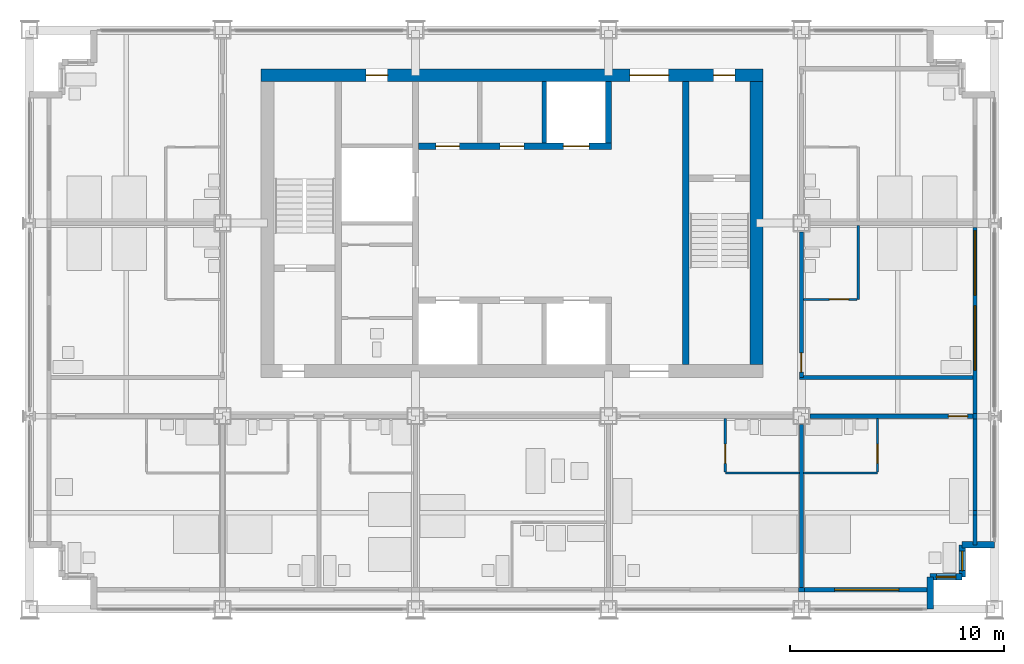
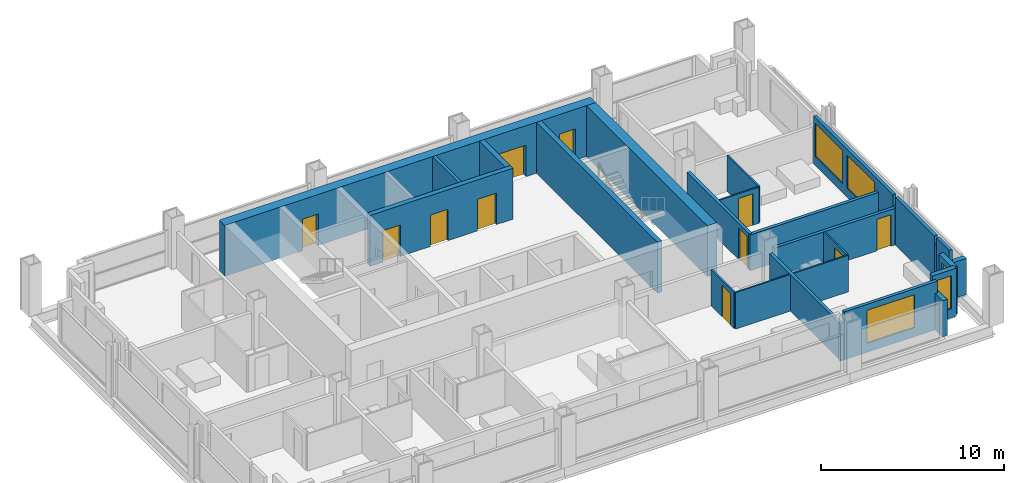
# One storey, part 9 of 13: 27 walls, 11 doors, 5 windows, 16 openings.
"""IFC4 building model written with IfcOpenShell, lengths in metres."""

from ifc_helpers import new_model, si_unit, direction, frame, frame_2d, origin, place, context, subcontext, project, spatial, rectangle, extrude, material, layer, layer_set, type_object, element, fill, save


model = new_model("IFC4")

# Units and contexts
model_context = context("Model", 3, precision=1e-05, world=origin(), true_north=direction((0.0, 1.0)))
body_context = subcontext(model_context, "Body", "Model", "MODEL_VIEW")
ifc_project = project(units=[si_unit("LENGTHUNIT", "METRE"), si_unit("AREAUNIT", "SQUARE_METRE"), si_unit("VOLUMEUNIT", "CUBIC_METRE"), si_unit("PLANEANGLEUNIT", "RADIAN"), si_unit("MASSUNIT", "GRAM", prefix="KILO")], contexts=[model_context])

# Site, building, storey
site_placement = place(None, origin())
site = spatial("IfcSite", under=ifc_project, at=site_placement, CompositionType="ELEMENT")
building_placement = place(site_placement, origin())
building = spatial("IfcBuilding", under=site, at=building_placement, Name="Loomwork Tower", CompositionType="ELEMENT")
storey_placement = place(building_placement, frame((0.0, 0.0, 191.0)))
storey = spatial("IfcBuildingStorey", under=building, at=storey_placement, Name="L52", CompositionType="ELEMENT", Elevation=191.0)

# Wall, openings, doors
ifc_material_1 = material(Name="Concrete 14000 psi (97 MPa)", Category="concrete")
ifc_layer_1 = layer(ifc_material_1, 0.300048828125)
ifc_layer_set_1 = layer_set([ifc_layer_1], Name="Core shear wall 300")
wall_type_1 = type_object("IfcWallType", Name="Core shear wall 300", PredefinedType="SHEAR", material=ifc_layer_set_1)
wall_1_placement = place(storey_placement, frame((18.14990234375, 21.60009765625, 0.0), z_axis=(0.0, 0.0, 1.0), x_axis=(1.0, 0.0, 0.0)))
wall_1 = element("IfcWall", 1, at=wall_1_placement, inside=storey, type_object=wall_type_1, Name="Lift front wall north L52", PredefinedType="SHEAR", context=body_context, shape_type="SweptSolid", body=[
    extrude(rectangle(XDim=9.0, YDim=0.300048828125, at=frame_2d((4.5, 0.0))), origin(), (0.0, 0.0, 1.0), 3.39990234375),
])
opening_1_placement = place(wall_1_placement, frame((6.75, 0.0, 0.0)))
opening_1 = element("IfcOpeningElement", 2, at=opening_1_placement, cuts=wall_1, Name="Opening LD2", PredefinedType="OPENING", context=body_context, shape_type="SweptSolid", body=[
    extrude(rectangle(XDim=1.199951171875, YDim=2.10009765625, at=frame_2d((0.60009765625, 1.050048828125))), frame((0.0, 0.159912109375, 0.0), z_axis=(0.0, -1.0, 0.0), x_axis=(1.0, 0.0, 0.0)), (0.0, 0.0, 1.0), 0.320068359375),
])
opening_2_placement = place(wall_1_placement, frame((0.800048828125, 0.0, 0.0)))
opening_2 = element("IfcOpeningElement", 3, at=opening_2_placement, cuts=wall_1, Name="Opening D17", PredefinedType="OPENING", context=body_context, shape_type="SweptSolid", body=[
    extrude(rectangle(XDim=1.10009765625, YDim=2.10009765625, at=frame_2d((0.550048828125, 1.050048828125))), frame((0.0, 0.159912109375, 0.0), z_axis=(0.0, -1.0, 0.0), x_axis=(1.0, 0.0, 0.0)), (0.0, 0.0, 1.0), 0.320068359375),
])
opening_3_placement = place(wall_1_placement, frame((3.800048828125, 0.0, 0.0)))
opening_3 = element("IfcOpeningElement", 4, at=opening_3_placement, cuts=wall_1, Name="Opening D17", PredefinedType="OPENING", context=body_context, shape_type="SweptSolid", body=[
    extrude(rectangle(XDim=1.10009765625, YDim=2.10009765625, at=frame_2d((0.550048828125, 1.050048828125))), frame((0.0, 0.159912109375, 0.0), z_axis=(0.0, -1.0, 0.0), x_axis=(1.0, 0.0, 0.0)), (0.0, 0.0, 1.0), 0.320068359375),
])
ifc_material_2 = material(Name="Hollow metal door and frame")
door_type_1 = type_object("IfcDoorType", Name="Lift landing door 1200", OperationType="SLIDING_TO_LEFT", PredefinedType="DOOR", material=ifc_material_2)
door_1_placement = place(opening_1_placement, origin())
door_1 = element("IfcDoor", 5, at=door_1_placement, inside=storey, type_object=door_type_1, Name="Lift landing door LF2", OperationType="SLIDING_TO_LEFT", OverallHeight=2.10009765625, OverallWidth=1.199951171875, PredefinedType="DOOR", context=body_context, shape_type="SweptSolid", body=[
    extrude(rectangle(XDim=1.199951171875, YDim=2.10009765625, at=frame_2d((0.60009765625, 1.050048828125))), frame((0.0, 0.02490234375, 0.0), z_axis=(0.0, -1.0, 0.0), x_axis=(1.0, 0.0, 0.0)), (0.0, 0.0, 1.0), 0.050048828125),
])
fill(opening_1, door_1)
ifc_material_3 = material(Name="Hollow metal door and frame")
door_type_2 = type_object("IfcDoorType", Name="Service room door 1100", OperationType="SINGLE_SWING_LEFT", PredefinedType="DOOR", material=ifc_material_3)
door_2_placement = place(opening_2_placement, origin())
door_2 = element("IfcDoor", 6, at=door_2_placement, inside=storey, type_object=door_type_2, Name="IT and communications room door L52", OperationType="SINGLE_SWING_LEFT", OverallHeight=2.10009765625, OverallWidth=1.10009765625, PredefinedType="DOOR", context=body_context, shape_type="SweptSolid", body=[
    extrude(rectangle(XDim=1.10009765625, YDim=2.10009765625, at=frame_2d((0.550048828125, 1.050048828125))), frame((0.0, 0.02490234375, 0.0), z_axis=(0.0, -1.0, 0.0), x_axis=(1.0, 0.0, 0.0)), (0.0, 0.0, 1.0), 0.050048828125),
])
fill(opening_2, door_2)
door_3_placement = place(opening_3_placement, origin())
door_3 = element("IfcDoor", 7, at=door_3_placement, inside=storey, type_object=door_type_2, Name="Housekeeping store door L52", OperationType="SINGLE_SWING_LEFT", OverallHeight=2.10009765625, OverallWidth=1.10009765625, PredefinedType="DOOR", context=body_context, shape_type="SweptSolid", body=[
    extrude(rectangle(XDim=1.10009765625, YDim=2.10009765625, at=frame_2d((0.550048828125, 1.050048828125))), frame((0.0, 0.02490234375, 0.0), z_axis=(0.0, -1.0, 0.0), x_axis=(1.0, 0.0, 0.0)), (0.0, 0.0, 1.0), 0.050048828125),
])
fill(opening_3, door_3)

# Walls
wall_2_placement = place(storey_placement, frame((27.0, 21.75, 0.0), z_axis=(0.0, 0.0, 1.0), x_axis=(0.0, 1.0, 0.0)))
element("IfcWall", 8, at=wall_2_placement, inside=storey, type_object=wall_type_1, Name="Lift shaft end wall north L52", PredefinedType="SHEAR", context=body_context, shape_type="SweptSolid", body=[
    extrude(rectangle(XDim=2.85009765625, YDim=0.300048828125, at=frame_2d((1.425048828125, 0.0))), origin(), (0.0, 0.0, 1.0), 3.39990234375),
])
wall_3_placement = place(storey_placement, frame((30.60009765625, 11.39990234375, 0.0), z_axis=(0.0, 0.0, 1.0), x_axis=(0.0, 1.0, 0.0)))
element("IfcWall", 9, at=wall_3_placement, inside=storey, type_object=wall_type_1, Name="Stair B west wall L52", PredefinedType="SHEAR", context=body_context, shape_type="SweptSolid", body=[
    extrude(rectangle(XDim=13.2001953125, YDim=0.300048828125, at=frame_2d((6.60009765625, 0.0))), origin(), (0.0, 0.0, 1.0), 3.39990234375),
])

# Wall, openings, doors
ifc_material_4 = material(Name="Concrete 14000 psi (97 MPa)", Category="concrete")
ifc_layer_2 = layer(ifc_material_4, 0.60009765625)
ifc_layer_set_2 = layer_set([ifc_layer_2], Name="Core shear wall 600")
wall_type_2 = type_object("IfcWallType", Name="Core shear wall 600", PredefinedType="SHEAR", material=ifc_layer_set_2)
wall_4_placement = place(storey_placement, frame((10.800048828125, 24.89990234375, 0.0), z_axis=(0.0, 0.0, 1.0), x_axis=(1.0, 0.0, 0.0)))
wall_4 = element("IfcWall", 10, at=wall_4_placement, inside=storey, type_object=wall_type_2, Name="Core wall north L52", PredefinedType="SHEAR", context=body_context, shape_type="SweptSolid", body=[
    extrude(rectangle(XDim=23.39990234375, YDim=0.60009765625, at=frame_2d((11.699951171875, 0.0))), origin(), (0.0, 0.0, 1.0), 3.39990234375),
])
opening_4_placement = place(wall_4_placement, frame((17.199951171875, 0.0, 0.0)))
opening_4 = element("IfcOpeningElement", 11, at=opening_4_placement, cuts=wall_4, Name="Opening D6", PredefinedType="OPENING", context=body_context, shape_type="SweptSolid", body=[
    extrude(rectangle(XDim=1.800048828125, YDim=2.10009765625, at=frame_2d((0.89990234375, 1.050048828125))), frame((0.0, 0.31005859375, 0.0), z_axis=(0.0, -1.0, 0.0), x_axis=(1.0, 0.0, 0.0)), (0.0, 0.0, 1.0), 0.6201171875),
])
opening_5_placement = place(wall_4_placement, frame((21.10009765625, 0.0, 0.0)))
opening_5 = element("IfcOpeningElement", 12, at=opening_5_placement, cuts=wall_4, Name="Opening D4", PredefinedType="OPENING", context=body_context, shape_type="SweptSolid", body=[
    extrude(rectangle(XDim=1.0, YDim=2.10009765625, at=frame_2d((0.5, 1.050048828125))), frame((0.0, 0.31005859375, 0.0), z_axis=(0.0, -1.0, 0.0), x_axis=(1.0, 0.0, 0.0)), (0.0, 0.0, 1.0), 0.6201171875),
])
opening_6_placement = place(wall_4_placement, frame((4.89990234375, 0.0, 0.0)))
opening_6 = element("IfcOpeningElement", 13, at=opening_6_placement, cuts=wall_4, Name="Opening D5", PredefinedType="OPENING", context=body_context, shape_type="SweptSolid", body=[
    extrude(rectangle(XDim=1.0, YDim=2.10009765625, at=frame_2d((0.5, 1.050048828125))), frame((0.0, 0.31005859375, 0.0), z_axis=(0.0, -1.0, 0.0), x_axis=(1.0, 0.0, 0.0)), (0.0, 0.0, 1.0), 0.6201171875),
])
ifc_material_5 = material(Name="Hollow metal door and frame")
door_type_3 = type_object("IfcDoorType", Name="Lobby passage double door 1800", OperationType="DOUBLE_DOOR_SINGLE_SWING", PredefinedType="DOOR", material=ifc_material_5)
door_4_placement = place(opening_4_placement, frame((1.800048828125, 0.0, 0.0), z_axis=(0.0, 0.0, 1.0), x_axis=(-1.0, 0.0, 0.0)))
door_4 = element("IfcDoor", 14, at=door_4_placement, inside=storey, type_object=door_type_3, Name="Lobby passage door north", OperationType="DOUBLE_DOOR_SINGLE_SWING", OverallHeight=2.10009765625, OverallWidth=1.800048828125, PredefinedType="DOOR", context=body_context, shape_type="SweptSolid", body=[
    extrude(rectangle(XDim=1.800048828125, YDim=2.10009765625, at=frame_2d((0.89990234375, 1.050048828125))), frame((0.0, 0.02490234375, 0.0), z_axis=(0.0, -1.0, 0.0), x_axis=(1.0, 0.0, 0.0)), (0.0, 0.0, 1.0), 0.050048828125),
])
fill(opening_4, door_4)
ifc_material_6 = material(Name="Hollow metal door and frame")
door_type_4 = type_object("IfcDoorType", Name="Service door 1000", OperationType="SINGLE_SWING_LEFT", PredefinedType="DOOR", material=ifc_material_6)
door_5_placement = place(opening_6_placement, frame((1.0, 0.0, 0.0), z_axis=(0.0, 0.0, 1.0), x_axis=(-1.0, 0.0, 0.0)))
door_5 = element("IfcDoor", 15, at=door_5_placement, inside=storey, type_object=door_type_4, Name="Back-of-house door north", OperationType="SINGLE_SWING_LEFT", OverallHeight=2.10009765625, OverallWidth=1.0, PredefinedType="DOOR", context=body_context, shape_type="SweptSolid", body=[
    extrude(rectangle(XDim=1.0, YDim=2.10009765625, at=frame_2d((0.5, 1.050048828125))), frame((0.0, 0.02490234375, 0.0), z_axis=(0.0, -1.0, 0.0), x_axis=(1.0, 0.0, 0.0)), (0.0, 0.0, 1.0), 0.050048828125),
])
fill(opening_6, door_5)
ifc_material_7 = material(Name="Hollow metal door and frame")
door_type_5 = type_object("IfcDoorType", Name="Stair door 1000", OperationType="SINGLE_SWING_RIGHT", PredefinedType="DOOR", material=ifc_material_7)
door_6_placement = place(opening_5_placement, frame((1.0, 0.0, 0.0), z_axis=(0.0, 0.0, 1.0), x_axis=(-1.0, 0.0, 0.0)))
door_6 = element("IfcDoor", 16, at=door_6_placement, inside=storey, type_object=door_type_5, Name="Stair B vestibule door", OperationType="SINGLE_SWING_LEFT", OverallHeight=2.10009765625, OverallWidth=1.0, PredefinedType="DOOR", context=body_context, shape_type="SweptSolid", body=[
    extrude(rectangle(XDim=1.0, YDim=2.10009765625, at=frame_2d((0.5, 1.050048828125))), frame((0.0, 0.02490234375, 0.0), z_axis=(0.0, -1.0, 0.0), x_axis=(1.0, 0.0, 0.0)), (0.0, 0.0, 1.0), 0.050048828125),
])
fill(opening_5, door_6)

# Wall
wall_5_placement = place(storey_placement, frame((33.89990234375, 11.39990234375, 0.0), z_axis=(0.0, 0.0, 1.0), x_axis=(0.0, 1.0, 0.0)))
element("IfcWall", 17, at=wall_5_placement, inside=storey, type_object=wall_type_2, Name="Core wall east L52", PredefinedType="SHEAR", context=body_context, shape_type="SweptSolid", body=[
    extrude(rectangle(XDim=13.2001953125, YDim=0.60009765625, at=frame_2d((6.60009765625, 0.0))), origin(), (0.0, 0.0, 1.0), 3.39990234375),
])

# Wall, opening, door
ifc_material_8 = material(Name="Gypsum board on steel studs, one-hour", Category="steel")
ifc_layer_3 = layer(ifc_material_8, 0.199951171875)
ifc_layer_set_3 = layer_set([ifc_layer_3], Name="Corridor wall 200")
wall_type_3 = type_object("IfcWallType", Name="Corridor wall 200", PredefinedType="PARTITIONING", material=ifc_layer_set_3)
wall_6_placement = place(storey_placement, frame((36.39990234375, 9.0, 0.0), z_axis=(0.0, 0.0, 1.0), x_axis=(1.0, 0.0, 0.0)))
wall_6 = element("IfcWall", 18, at=wall_6_placement, inside=storey, type_object=wall_type_3, Name="South corridor wall 5", PredefinedType="PARTITIONING", context=body_context, shape_type="SweptSolid", body=[
    extrude(rectangle(XDim=7.60009765625, YDim=0.199951171875, at=frame_2d((3.800048828125, 0.0))), origin(), (0.0, 0.0, 1.0), 2.43798828125),
])
opening_7_placement = place(wall_6_placement, frame((6.449951171875, 0.0, 0.0)))
opening_7 = element("IfcOpeningElement", 19, at=opening_7_placement, cuts=wall_6, Name="Opening D1", PredefinedType="OPENING", context=body_context, shape_type="SweptSolid", body=[
    extrude(rectangle(XDim=0.89990234375, YDim=2.10009765625, at=frame_2d((0.449951171875, 1.050048828125))), frame((0.0, 0.10986328125, 0.0), z_axis=(0.0, -1.0, 0.0), x_axis=(1.0, 0.0, 0.0)), (0.0, 0.0, 1.0), 0.219970703125),
])
ifc_material_9 = material(Name="Hollow metal door and frame")
door_type_6 = type_object("IfcDoorType", Name="Guest room entry door 900", OperationType="SINGLE_SWING_LEFT", PredefinedType="DOOR", material=ifc_material_9)
door_7_placement = place(opening_7_placement, frame((0.89990234375, 0.0, 0.0), z_axis=(0.0, 0.0, 1.0), x_axis=(-1.0, 0.0, 0.0)))
door_7 = element("IfcDoor", 20, at=door_7_placement, inside=storey, type_object=door_type_6, Name="Guest room entry door L52 6", OperationType="SINGLE_SWING_LEFT", OverallHeight=2.10009765625, OverallWidth=0.89990234375, PredefinedType="DOOR", context=body_context, shape_type="SweptSolid", body=[
    extrude(rectangle(XDim=0.89990234375, YDim=2.10009765625, at=frame_2d((0.449951171875, 1.050048828125))), frame((0.0, 0.02490234375, 0.0), z_axis=(0.0, -1.0, 0.0), x_axis=(1.0, 0.0, 0.0)), (0.0, 0.0, 1.0), 0.050048828125),
])
fill(opening_7, door_7)

wall_7_placement = place(storey_placement, frame((36.0, 10.800048828125, 0.0), z_axis=(0.0, 0.0, 1.0), x_axis=(0.0, 1.0, 0.0)))
wall_7 = element("IfcWall", 21, at=wall_7_placement, inside=storey, type_object=wall_type_3, Name="East corridor wall 1", PredefinedType="PARTITIONING", context=body_context, shape_type="SweptSolid", body=[
    extrude(rectangle(XDim=6.800048828125, YDim=0.199951171875, at=frame_2d((3.39990234375, 0.0))), origin(), (0.0, 0.0, 1.0), 2.405029296875),
])
opening_8_placement = place(wall_7_placement, frame((0.25, 0.0, 0.0)))
opening_8 = element("IfcOpeningElement", 22, at=opening_8_placement, cuts=wall_7, Name="Opening D1", PredefinedType="OPENING", context=body_context, shape_type="SweptSolid", body=[
    extrude(rectangle(XDim=0.89990234375, YDim=2.10009765625, at=frame_2d((0.449951171875, 1.050048828125))), frame((0.0, 0.10986328125, 0.0), z_axis=(0.0, -1.0, 0.0), x_axis=(1.0, 0.0, 0.0)), (0.0, 0.0, 1.0), 0.219970703125),
])
door_8_placement = place(opening_8_placement, frame((0.89990234375, 0.0, 0.0), z_axis=(0.0, 0.0, 1.0), x_axis=(-1.0, 0.0, 0.0)))
door_8 = element("IfcDoor", 23, at=door_8_placement, inside=storey, type_object=door_type_6, Name="Guest room entry door L52 9", OperationType="SINGLE_SWING_RIGHT", OverallHeight=2.10009765625, OverallWidth=0.89990234375, PredefinedType="DOOR", context=body_context, shape_type="SweptSolid", body=[
    extrude(rectangle(XDim=0.89990234375, YDim=2.10009765625, at=frame_2d((0.449951171875, 1.050048828125))), frame((0.0, 0.02490234375, 0.0), z_axis=(0.0, -1.0, 0.0), x_axis=(1.0, 0.0, 0.0)), (0.0, 0.0, 1.0), 0.050048828125),
])
fill(opening_8, door_8)

# Walls
wall_8_placement = place(storey_placement, frame((35.89990234375, 10.800048828125, 0.0), z_axis=(0.0, 0.0, 1.0), x_axis=(1.0, 0.0, 0.0)))
element("IfcWall", 24, at=wall_8_placement, inside=storey, type_object=wall_type_3, Name="East band end wall S", PredefinedType="PARTITIONING", context=body_context, shape_type="SweptSolid", body=[
    extrude(rectangle(XDim=8.10009765625, YDim=0.199951171875, at=frame_2d((4.050048828125, 0.0))), origin(), (0.0, 0.0, 1.0), 2.404052734375),
])
ifc_material_10 = material(Name="Cement board on steel studs", Category="steel")
ifc_layer_4 = layer(ifc_material_10, 0.10009765625)
ifc_layer_set_4 = layer_set([ifc_layer_4], Name="En-suite partition 100")
wall_type_4 = type_object("IfcWallType", Name="En-suite partition 100", PredefinedType="PARTITIONING", material=ifc_layer_set_4)
wall_9_placement = place(storey_placement, frame((32.449951171875, 6.35009765625, 0.0), z_axis=(0.0, 0.0, 1.0), x_axis=(1.0, 0.0, 0.0)))
element("IfcWall", 25, at=wall_9_placement, inside=storey, type_object=wall_type_4, Name="En-suite wall L52 room 5", PredefinedType="PARTITIONING", context=body_context, shape_type="SweptSolid", body=[
    extrude(rectangle(XDim=3.449951171875, YDim=0.10009765625, at=frame_2d((1.72509765625, 0.0))), origin(), (0.0, 0.0, 1.0), 2.43798828125),
])

# Wall, opening, door
wall_10_placement = place(storey_placement, frame((32.449951171875, 8.89990234375, 0.0), z_axis=(0.0, 0.0, 1.0), x_axis=(0.0, -1.0, 0.0)))
wall_10 = element("IfcWall", 26, at=wall_10_placement, inside=storey, type_object=wall_type_4, Name="En-suite side wall L52 room 5", PredefinedType="PARTITIONING", context=body_context, shape_type="SweptSolid", body=[
    extrude(rectangle(XDim=2.5, YDim=0.10009765625, at=frame_2d((1.25, 0.0))), origin(), (0.0, 0.0, 1.0), 2.404052734375),
])
opening_9_placement = place(wall_10_placement, frame((1.199951171875, 0.0, 0.0)))
opening_9 = element("IfcOpeningElement", 27, at=opening_9_placement, cuts=wall_10, Name="Opening D2", PredefinedType="OPENING", context=body_context, shape_type="SweptSolid", body=[
    extrude(rectangle(XDim=0.89990234375, YDim=2.10009765625, at=frame_2d((0.449951171875, 1.050048828125))), frame((0.0, 0.06005859375, 0.0), z_axis=(0.0, -1.0, 0.0), x_axis=(1.0, 0.0, 0.0)), (0.0, 0.0, 1.0), 0.1201171875),
])
ifc_material_11 = material(Name="Hollow metal door and frame")
door_type_7 = type_object("IfcDoorType", Name="En-suite door 900", OperationType="SINGLE_SWING_LEFT", PredefinedType="DOOR", material=ifc_material_11)
door_9_placement = place(opening_9_placement, origin())
door_9 = element("IfcDoor", 28, at=door_9_placement, inside=storey, type_object=door_type_7, Name="En-suite door room 5", OperationType="SINGLE_SWING_RIGHT", OverallHeight=2.10009765625, OverallWidth=0.89990234375, PredefinedType="DOOR", context=body_context, shape_type="SweptSolid", body=[
    extrude(rectangle(XDim=0.89990234375, YDim=2.10009765625, at=frame_2d((0.449951171875, 1.050048828125))), frame((0.0, 0.02490234375, 0.0), z_axis=(0.0, -1.0, 0.0), x_axis=(1.0, 0.0, 0.0)), (0.0, 0.0, 1.0), 0.050048828125),
])
fill(opening_9, door_9)

# Wall
wall_11_placement = place(storey_placement, frame((36.10009765625, 6.35009765625, 0.0), z_axis=(0.0, 0.0, 1.0), x_axis=(1.0, 0.0, 0.0)))
element("IfcWall", 29, at=wall_11_placement, inside=storey, type_object=wall_type_4, Name="En-suite wall L52 room 6", PredefinedType="PARTITIONING", context=body_context, shape_type="SweptSolid", body=[
    extrude(rectangle(XDim=3.449951171875, YDim=0.10009765625, at=frame_2d((1.72509765625, 0.0))), origin(), (0.0, 0.0, 1.0), 2.43798828125),
])

# Wall, opening, door
wall_12_placement = place(storey_placement, frame((39.550048828125, 8.89990234375, 0.0), z_axis=(0.0, 0.0, 1.0), x_axis=(0.0, -1.0, 0.0)))
wall_12 = element("IfcWall", 30, at=wall_12_placement, inside=storey, type_object=wall_type_4, Name="En-suite side wall L52 room 6", PredefinedType="PARTITIONING", context=body_context, shape_type="SweptSolid", body=[
    extrude(rectangle(XDim=2.5, YDim=0.10009765625, at=frame_2d((1.25, 0.0))), origin(), (0.0, 0.0, 1.0), 2.43798828125),
])
opening_10_placement = place(wall_12_placement, frame((1.199951171875, 0.0, 0.0)))
opening_10 = element("IfcOpeningElement", 31, at=opening_10_placement, cuts=wall_12, Name="Opening D2", PredefinedType="OPENING", context=body_context, shape_type="SweptSolid", body=[
    extrude(rectangle(XDim=0.89990234375, YDim=2.10009765625, at=frame_2d((0.449951171875, 1.050048828125))), frame((0.0, 0.06005859375, 0.0), z_axis=(0.0, -1.0, 0.0), x_axis=(1.0, 0.0, 0.0)), (0.0, 0.0, 1.0), 0.1201171875),
])
door_10_placement = place(opening_10_placement, frame((0.89990234375, 0.0, 0.0), z_axis=(0.0, 0.0, 1.0), x_axis=(-1.0, 0.0, 0.0)))
door_10 = element("IfcDoor", 32, at=door_10_placement, inside=storey, type_object=door_type_7, Name="En-suite door room 6", OperationType="SINGLE_SWING_LEFT", OverallHeight=2.10009765625, OverallWidth=0.89990234375, PredefinedType="DOOR", context=body_context, shape_type="SweptSolid", body=[
    extrude(rectangle(XDim=0.89990234375, YDim=2.10009765625, at=frame_2d((0.449951171875, 1.050048828125))), frame((0.0, 0.02490234375, 0.0), z_axis=(0.0, -1.0, 0.0), x_axis=(1.0, 0.0, 0.0)), (0.0, 0.0, 1.0), 0.050048828125),
])
fill(opening_10, door_10)

# Wall
wall_13_placement = place(storey_placement, frame((38.64990234375, 14.449951171875, 0.0), z_axis=(0.0, 0.0, 1.0), x_axis=(0.0, 1.0, 0.0)))
element("IfcWall", 33, at=wall_13_placement, inside=storey, type_object=wall_type_4, Name="En-suite wall L52 room 9", PredefinedType="PARTITIONING", context=body_context, shape_type="SweptSolid", body=[
    extrude(rectangle(XDim=3.449951171875, YDim=0.10009765625, at=frame_2d((1.72509765625, 0.0))), origin(), (0.0, 0.0, 1.0), 2.404052734375),
])

# Wall, opening, door
wall_14_placement = place(storey_placement, frame((36.10009765625, 14.449951171875, 0.0), z_axis=(0.0, 0.0, 1.0), x_axis=(1.0, 0.0, 0.0)))
wall_14 = element("IfcWall", 34, at=wall_14_placement, inside=storey, type_object=wall_type_4, Name="En-suite side wall L52 room 9", PredefinedType="PARTITIONING", context=body_context, shape_type="SweptSolid", body=[
    extrude(rectangle(XDim=2.5, YDim=0.10009765625, at=frame_2d((1.25, 0.0))), origin(), (0.0, 0.0, 1.0), 2.404052734375),
])
opening_11_placement = place(wall_14_placement, frame((1.199951171875, 0.0, 0.0)))
opening_11 = element("IfcOpeningElement", 35, at=opening_11_placement, cuts=wall_14, Name="Opening D2", PredefinedType="OPENING", context=body_context, shape_type="SweptSolid", body=[
    extrude(rectangle(XDim=0.89990234375, YDim=2.10009765625, at=frame_2d((0.449951171875, 1.050048828125))), frame((0.0, 0.06005859375, 0.0), z_axis=(0.0, -1.0, 0.0), x_axis=(1.0, 0.0, 0.0)), (0.0, 0.0, 1.0), 0.1201171875),
])
door_11_placement = place(opening_11_placement, origin())
door_11 = element("IfcDoor", 36, at=door_11_placement, inside=storey, type_object=door_type_7, Name="En-suite door room 9", OperationType="SINGLE_SWING_RIGHT", OverallHeight=2.10009765625, OverallWidth=0.89990234375, PredefinedType="DOOR", context=body_context, shape_type="SweptSolid", body=[
    extrude(rectangle(XDim=0.89990234375, YDim=2.10009765625, at=frame_2d((0.449951171875, 1.050048828125))), frame((0.0, 0.02490234375, 0.0), z_axis=(0.0, -1.0, 0.0), x_axis=(1.0, 0.0, 0.0)), (0.0, 0.0, 1.0), 0.050048828125),
])
fill(opening_11, door_11)

# Walls
ifc_material_12 = material(Name="Gypsum board on steel studs, acoustic", Category="steel")
ifc_layer_5 = layer(ifc_material_12, 0.199951171875)
ifc_layer_set_5 = layer_set([ifc_layer_5], Name="Guest room party wall 200")
wall_type_5 = type_object("IfcWallType", Name="Guest room party wall 200", PredefinedType="PARTITIONING", material=ifc_layer_set_5)
wall_15_placement = place(storey_placement, frame((36.0, 8.60009765625, 0.0), z_axis=(0.0, 0.0, 1.0), x_axis=(0.0, -1.0, 0.0)))
element("IfcWall", 37, at=wall_15_placement, inside=storey, type_object=wall_type_5, Name="Guest room party wall S 36", PredefinedType="PARTITIONING", context=body_context, shape_type="SweptSolid", body=[
    extrude(rectangle(XDim=7.60009765625, YDim=0.199951171875, at=frame_2d((3.800048828125, 0.0))), origin(), (0.0, 0.0, 1.0), 2.43798828125),
])
ifc_material_13 = material(Name="Insulated steel stud wall with gypsum lining", Category="steel")
ifc_layer_6 = layer(ifc_material_13, 0.199951171875)
ifc_layer_set_6 = layer_set([ifc_layer_6], Name="Inner skin wall 200")
wall_type_6 = type_object("IfcWallType", Name="Inner skin wall 200", PredefinedType="SOLIDWALL", material=ifc_layer_set_6)
wall_16_placement = place(storey_placement, frame((44.10009765625, 3.0, 0.0), z_axis=(0.0, 0.0, 1.0), x_axis=(0.0, 1.0, 0.0)))
element("IfcWall", 38, at=wall_16_placement, inside=storey, type_object=wall_type_6, Name="Inner skin wall E", PredefinedType="SOLIDWALL", context=body_context, shape_type="SweptSolid", body=[
    extrude(rectangle(XDim=1.392578125, YDim=0.199951171875, at=frame_2d((0.6962890625, 0.0))), origin(), (0.0, 0.0, 1.0), 3.199951171875),
])
wall_17_placement = place(storey_placement, frame((35.864501953125, 0.89990234375, 0.0), z_axis=(0.0, 0.0, 1.0), x_axis=(1.0, 0.0, 0.0)))
element("IfcWall", 39, at=wall_17_placement, inside=storey, type_object=wall_type_6, Name="Inner skin wall S bay 8", PredefinedType="SOLIDWALL", context=body_context, shape_type="SweptSolid", body=[
    extrude(rectangle(XDim=0.27099609375, YDim=0.199951171875, at=frame_2d((0.135498046875, 0.0))), origin(), (0.0, 0.0, 1.0), 2.43798828125),
])

# Wall, opening, window
wall_18_placement = place(storey_placement, frame((36.135498046875, 0.89990234375, 0.0), z_axis=(0.0, 0.0, 1.0), x_axis=(1.0, 0.0, 0.0)))
wall_18 = element("IfcWall", 40, at=wall_18_placement, inside=storey, type_object=wall_type_6, Name="Inner skin wall S bay 9", PredefinedType="SOLIDWALL", context=body_context, shape_type="SweptSolid", body=[
    extrude(rectangle(XDim=5.864501953125, YDim=0.199951171875, at=frame_2d((2.93212890625, 0.0))), origin(), (0.0, 0.0, 1.0), 3.199951171875),
])
opening_12_placement = place(wall_18_placement, frame((1.41455078125, 0.0, 0.60009765625)))
opening_12 = element("IfcOpeningElement", 41, at=opening_12_placement, cuts=wall_18, Name="Opening CH1", PredefinedType="OPENING", context=body_context, shape_type="SweptSolid", body=[
    extrude(rectangle(XDim=3.0, YDim=2.199951171875, at=frame_2d((1.5, 1.10009765625))), frame((0.0, 0.10986328125, 0.0), z_axis=(0.0, -1.0, 0.0), x_axis=(1.0, 0.0, 0.0)), (0.0, 0.0, 1.0), 0.219970703125),
])
ifc_material_14 = material(Name="Aluminium frame with clear insulated glass", Category="aluminium")
window_type_1 = type_object("IfcWindowType", Name="Chicago window 3000", PartitioningType="TRIPLE_PANEL_VERTICAL", PredefinedType="WINDOW", material=ifc_material_14)
window_1_placement = place(opening_12_placement, origin())
window_1 = element("IfcWindow", 42, at=window_1_placement, inside=storey, type_object=window_type_1, Name="Chicago window L52 bay 5", OverallHeight=2.199951171875, OverallWidth=3.0, PartitioningType="TRIPLE_PANEL_VERTICAL", PredefinedType="WINDOW", context=body_context, shape_type="SweptSolid", body=[
    extrude(rectangle(XDim=3.0, YDim=2.199951171875, at=frame_2d((1.5, 1.10009765625))), frame((0.0, 0.030029296875, 0.0), z_axis=(0.0, -1.0, 0.0), x_axis=(1.0, 0.0, 0.0)), (0.0, 0.0, 1.0), 0.06005859375),
])
fill(opening_12, window_1)

# Walls
wall_19_placement = place(storey_placement, frame((44.10009765625, 4.392578125, 0.0), z_axis=(0.0, 0.0, 1.0), x_axis=(0.0, 1.0, 0.0)))
element("IfcWall", 43, at=wall_19_placement, inside=storey, type_object=wall_type_6, Name="Inner skin wall E bay 2", PredefinedType="SOLIDWALL", context=body_context, shape_type="SweptSolid", body=[
    extrude(rectangle(XDim=0.21484375, YDim=0.199951171875, at=frame_2d((0.107421875, 0.0))), origin(), (0.0, 0.0, 1.0), 2.660888671875),
])
wall_20_placement = place(storey_placement, frame((44.10009765625, 4.607421875, 0.0), z_axis=(0.0, 0.0, 1.0), x_axis=(0.0, 1.0, 0.0)))
element("IfcWall", 44, at=wall_20_placement, inside=storey, type_object=wall_type_6, Name="Inner skin wall E bay 3", PredefinedType="SOLIDWALL", context=body_context, shape_type="SweptSolid", body=[
    extrude(rectangle(XDim=4.25732421875, YDim=0.199951171875, at=frame_2d((2.128662109375, 0.0))), origin(), (0.0, 0.0, 1.0), 3.199951171875),
])
wall_21_placement = place(storey_placement, frame((44.10009765625, 8.86474609375, 0.0), z_axis=(0.0, 0.0, 1.0), x_axis=(0.0, 1.0, 0.0)))
element("IfcWall", 45, at=wall_21_placement, inside=storey, type_object=wall_type_6, Name="Inner skin wall E bay 4", PredefinedType="SOLIDWALL", context=body_context, shape_type="SweptSolid", body=[
    extrude(rectangle(XDim=0.2705078125, YDim=0.199951171875, at=frame_2d((0.13525390625, 0.0))), origin(), (0.0, 0.0, 1.0), 2.43798828125),
])

# Wall, openings, windows
wall_22_placement = place(storey_placement, frame((44.10009765625, 9.13525390625, 0.0), z_axis=(0.0, 0.0, 1.0), x_axis=(0.0, 1.0, 0.0)))
wall_22 = element("IfcWall", 46, at=wall_22_placement, inside=storey, type_object=wall_type_6, Name="Inner skin wall E bay 5", PredefinedType="SOLIDWALL", context=body_context, shape_type="SweptSolid", body=[
    extrude(rectangle(XDim=8.6708984375, YDim=0.199951171875, at=frame_2d((4.33544921875, 0.0))), origin(), (0.0, 0.0, 1.0), 3.199951171875),
])
opening_13_placement = place(wall_22_placement, frame((2.0146484375, 0.0, 0.60009765625)))
opening_13 = element("IfcOpeningElement", 47, at=opening_13_placement, cuts=wall_22, Name="Opening CH1", PredefinedType="OPENING", context=body_context, shape_type="SweptSolid", body=[
    extrude(rectangle(XDim=3.0, YDim=2.199951171875, at=frame_2d((1.5, 1.10009765625))), frame((0.0, 0.10986328125, 0.0), z_axis=(0.0, -1.0, 0.0), x_axis=(1.0, 0.0, 0.0)), (0.0, 0.0, 1.0), 0.219970703125),
])
opening_14_placement = place(wall_22_placement, frame((5.5146484375, 0.0, 0.60009765625)))
opening_14 = element("IfcOpeningElement", 48, at=opening_14_placement, cuts=wall_22, Name="Opening CH1", PredefinedType="OPENING", context=body_context, shape_type="SweptSolid", body=[
    extrude(rectangle(XDim=3.0, YDim=2.199951171875, at=frame_2d((1.5, 1.10009765625))), frame((0.0, 0.10986328125, 0.0), z_axis=(0.0, -1.0, 0.0), x_axis=(1.0, 0.0, 0.0)), (0.0, 0.0, 1.0), 0.219970703125),
])
window_2_placement = place(opening_13_placement, origin())
window_2 = element("IfcWindow", 49, at=window_2_placement, inside=storey, type_object=window_type_1, Name="Chicago window L52 bay 8", OverallHeight=2.199951171875, OverallWidth=3.0, PartitioningType="TRIPLE_PANEL_VERTICAL", PredefinedType="WINDOW", context=body_context, shape_type="SweptSolid", body=[
    extrude(rectangle(XDim=3.0, YDim=2.199951171875, at=frame_2d((1.5, 1.10009765625))), frame((0.0, 0.030029296875, 0.0), z_axis=(0.0, -1.0, 0.0), x_axis=(1.0, 0.0, 0.0)), (0.0, 0.0, 1.0), 0.06005859375),
])
fill(opening_13, window_2)
window_3_placement = place(opening_14_placement, origin())
window_3 = element("IfcWindow", 50, at=window_3_placement, inside=storey, type_object=window_type_1, Name="Chicago window L52 bay 8", OverallHeight=2.199951171875, OverallWidth=3.0, PartitioningType="TRIPLE_PANEL_VERTICAL", PredefinedType="WINDOW", context=body_context, shape_type="SweptSolid", body=[
    extrude(rectangle(XDim=3.0, YDim=2.199951171875, at=frame_2d((1.5, 1.10009765625))), frame((0.0, 0.030029296875, 0.0), z_axis=(0.0, -1.0, 0.0), x_axis=(1.0, 0.0, 0.0)), (0.0, 0.0, 1.0), 0.06005859375),
])
fill(opening_14, window_3)

# Walls
ifc_material_15 = material(Name="Concrete 14000 psi (97 MPa)", Category="concrete")
ifc_layer_7 = layer(ifc_material_15, 0.199951171875)
ifc_layer_set_7 = layer_set([ifc_layer_7], Name="Lift shaft wall 200")
wall_type_7 = type_object("IfcWallType", Name="Lift shaft wall 200", PredefinedType="SHEAR", material=ifc_layer_set_7)
wall_23_placement = place(storey_placement, frame((24.0, 21.75, 0.0), z_axis=(0.0, 0.0, 1.0), x_axis=(0.0, 1.0, 0.0)))
element("IfcWall", 51, at=wall_23_placement, inside=storey, type_object=wall_type_7, Name="Lift shaft separation wall north 2 L52", PredefinedType="SHEAR", context=body_context, shape_type="SweptSolid", body=[
    extrude(rectangle(XDim=2.85009765625, YDim=0.199951171875, at=frame_2d((1.425048828125, 0.0))), origin(), (0.0, 0.0, 1.0), 3.39990234375),
])
ifc_material_16 = material(Name="Limestone on concrete masonry", Category="masonry")
ifc_layer_8 = layer(ifc_material_16, 0.300048828125)
ifc_layer_set_8 = layer_set([ifc_layer_8], Name="Limestone corner wall 300")
wall_type_8 = type_object("IfcWallType", Name="Limestone corner wall 300", PredefinedType="SOLIDWALL", material=ifc_layer_set_8)
wall_24_placement = place(storey_placement, frame((42.0, 0.0, 0.0), z_axis=(0.0, 0.0, 1.0), x_axis=(0.0, 1.0, 0.0)))
element("IfcWall", 52, at=wall_24_placement, inside=storey, type_object=wall_type_8, Name="Stone corner wall SE 1", PredefinedType="SOLIDWALL", context=body_context, shape_type="SweptSolid", body=[
    extrude(rectangle(XDim=1.5, YDim=0.300048828125, at=frame_2d((0.75, 0.0))), origin(), (0.0, 0.0, 1.0), 2.419921875),
])

# Wall, opening, window
wall_25_placement = place(storey_placement, frame((42.0, 1.5, 0.0), z_axis=(0.0, 0.0, 1.0), x_axis=(1.0, 0.0, 0.0)))
wall_25 = element("IfcWall", 53, at=wall_25_placement, inside=storey, type_object=wall_type_8, Name="Stone corner wall SE 2", PredefinedType="SOLIDWALL", context=body_context, shape_type="SweptSolid", body=[
    extrude(rectangle(XDim=1.5, YDim=0.300048828125, at=frame_2d((0.75, 0.0))), origin(), (0.0, 0.0, 1.0), 3.199951171875),
])
opening_15_placement = place(wall_25_placement, frame((0.300048828125, 0.0, 0.60009765625)))
opening_15 = element("IfcOpeningElement", 54, at=opening_15_placement, cuts=wall_25, Name="Opening CH2", PredefinedType="OPENING", context=body_context, shape_type="SweptSolid", body=[
    extrude(rectangle(XDim=0.89990234375, YDim=2.199951171875, at=frame_2d((0.449951171875, 1.10009765625))), frame((0.0, 0.159912109375, 0.0), z_axis=(0.0, -1.0, 0.0), x_axis=(1.0, 0.0, 0.0)), (0.0, 0.0, 1.0), 0.320068359375),
])
ifc_material_17 = material(Name="Aluminium frame with clear insulated glass", Category="aluminium")
window_type_2 = type_object("IfcWindowType", Name="Corner window 900", PartitioningType="SINGLE_PANEL", PredefinedType="WINDOW", material=ifc_material_17)
window_4_placement = place(opening_15_placement, origin())
window_4 = element("IfcWindow", 55, at=window_4_placement, inside=storey, type_object=window_type_2, Name="Corner window SE", OverallHeight=2.199951171875, OverallWidth=0.89990234375, PartitioningType="SINGLE_PANEL", PredefinedType="WINDOW", context=body_context, shape_type="SweptSolid", body=[
    extrude(rectangle(XDim=0.89990234375, YDim=2.199951171875, at=frame_2d((0.449951171875, 1.10009765625))), frame((0.0, 0.030029296875, 0.0), z_axis=(0.0, -1.0, 0.0), x_axis=(1.0, 0.0, 0.0)), (0.0, 0.0, 1.0), 0.06005859375),
])
fill(opening_15, window_4)

wall_26_placement = place(storey_placement, frame((43.5, 1.5, 0.0), z_axis=(0.0, 0.0, 1.0), x_axis=(0.0, 1.0, 0.0)))
wall_26 = element("IfcWall", 56, at=wall_26_placement, inside=storey, type_object=wall_type_8, Name="Stone corner wall SE 3", PredefinedType="SOLIDWALL", context=body_context, shape_type="SweptSolid", body=[
    extrude(rectangle(XDim=1.5, YDim=0.300048828125, at=frame_2d((0.75, 0.0))), origin(), (0.0, 0.0, 1.0), 3.199951171875),
])
opening_16_placement = place(wall_26_placement, frame((0.300048828125, 0.0, 0.60009765625)))
opening_16 = element("IfcOpeningElement", 57, at=opening_16_placement, cuts=wall_26, Name="Opening CH2", PredefinedType="OPENING", context=body_context, shape_type="SweptSolid", body=[
    extrude(rectangle(XDim=0.89990234375, YDim=2.199951171875, at=frame_2d((0.449951171875, 1.10009765625))), frame((0.0, 0.159912109375, 0.0), z_axis=(0.0, -1.0, 0.0), x_axis=(1.0, 0.0, 0.0)), (0.0, 0.0, 1.0), 0.320068359375),
])
window_5_placement = place(opening_16_placement, origin())
window_5 = element("IfcWindow", 58, at=window_5_placement, inside=storey, type_object=window_type_2, Name="Corner window SE", OverallHeight=2.199951171875, OverallWidth=0.89990234375, PartitioningType="SINGLE_PANEL", PredefinedType="WINDOW", context=body_context, shape_type="SweptSolid", body=[
    extrude(rectangle(XDim=0.89990234375, YDim=2.199951171875, at=frame_2d((0.449951171875, 1.10009765625))), frame((0.0, 0.030029296875, 0.0), z_axis=(0.0, -1.0, 0.0), x_axis=(1.0, 0.0, 0.0)), (0.0, 0.0, 1.0), 0.06005859375),
])
fill(opening_16, window_5)

# Wall
wall_27_placement = place(storey_placement, frame((43.5, 3.0, 0.0), z_axis=(0.0, 0.0, 1.0), x_axis=(1.0, 0.0, 0.0)))
element("IfcWall", 59, at=wall_27_placement, inside=storey, type_object=wall_type_8, Name="Stone corner wall SE 4", PredefinedType="SOLIDWALL", context=body_context, shape_type="SweptSolid", body=[
    extrude(rectangle(XDim=1.5, YDim=0.300048828125, at=frame_2d((0.75, 0.0))), origin(), (0.0, 0.0, 1.0), 2.419921875),
])

save(model, "model.ifc")
